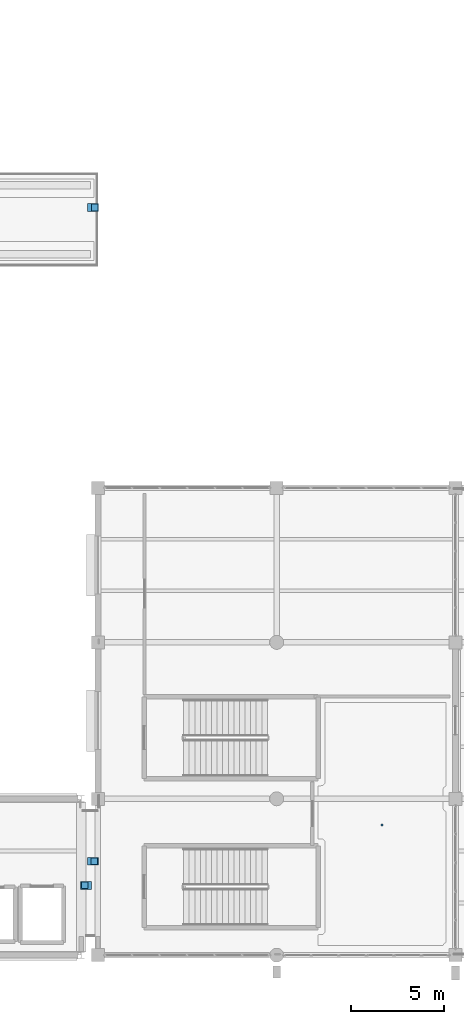
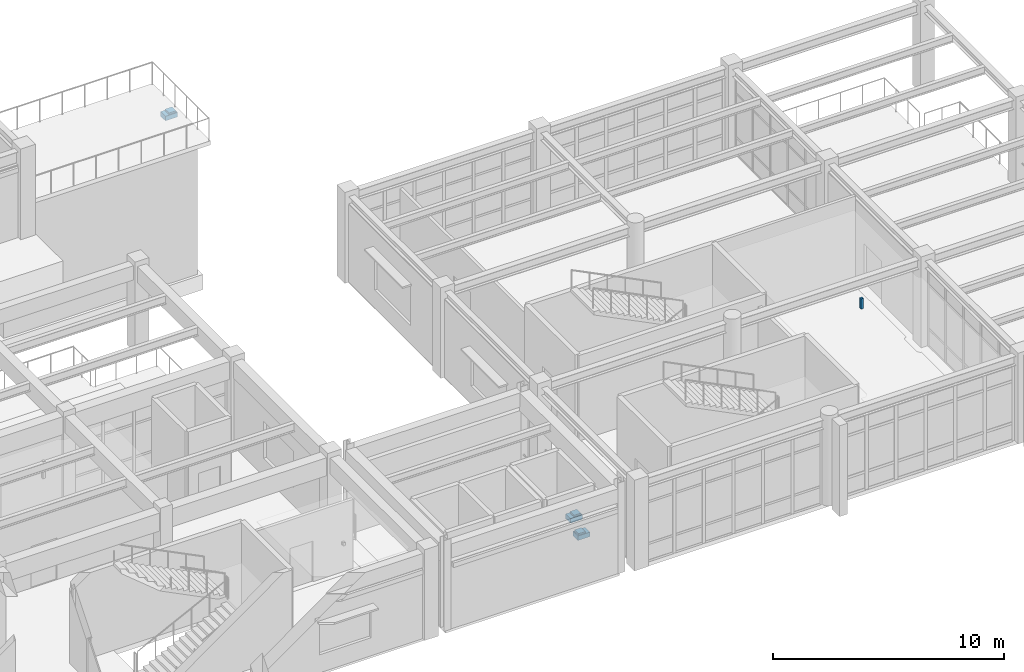
# One storey, part 84 of 98: 7 discrete accessories.
"""IFC4 building model written with IfcOpenShell, lengths in metres."""

from ifc_helpers import new_model, si_unit, direction, frame, origin, origin_2d, place, context, subcontext, project, spatial, rectangle, extrude, material, layer, layer_set, type_object, element, save


model = new_model("IFC4")

# Units and contexts
model_context = context("Model", 3, precision=1e-05, world=origin(), true_north=direction((0.0, 1.0)))
body_context = subcontext(model_context, "Body", "Model", "MODEL_VIEW")
ifc_project = project(units=[si_unit("LENGTHUNIT", "METRE"), si_unit("AREAUNIT", "SQUARE_METRE"), si_unit("VOLUMEUNIT", "CUBIC_METRE"), si_unit("PLANEANGLEUNIT", "RADIAN"), si_unit("MASSUNIT", "GRAM", prefix="KILO")], contexts=[model_context])

# Site, building, storey
site_placement = place(None, origin())
site = spatial("IfcSite", under=ifc_project, at=site_placement, CompositionType="ELEMENT")
building_placement = place(site_placement, origin())
building = spatial("IfcBuilding", under=site, at=building_placement, Name="Canglan Escarpment Cableway Terminal", CompositionType="ELEMENT")
storey_placement = place(building_placement, frame((0.0, 0.0, 9.60009765625)))
storey = spatial("IfcBuildingStorey", under=building, at=storey_placement, Name="L02", CompositionType="ELEMENT", Elevation=9.60009765625)

# Discrete accessories
ifc_material_1 = material(Name="Steel Q355B", Category="steel")
ifc_layer_1 = layer(ifc_material_1, 0.159912109375, Name="Steel Q355B")
ifc_layer_set_1 = layer_set([ifc_layer_1], Name="Steel Q355B")
discrete_accessory_type_1 = type_object("IfcDiscreteAccessoryType", Name="ACC-BRACKET-01", PredefinedType="BRACKET", material=ifc_layer_set_1)
discrete_accessory_placement = place(storey_placement, frame((162.449951171875, 14.9892578125, 3.99169921875), z_axis=(0.0, 0.0, 1.0), x_axis=(1.0, 0.0, 0.0)))
element("IfcDiscreteAccessory", 1, at=discrete_accessory_placement, inside=storey, type_object=discrete_accessory_type_1, Name="Suspended ceiling hanger bracket BK-01", PredefinedType="BRACKET", context=body_context, shape_type="SweptSolid", body=[
    extrude(rectangle(XDim=0.1201171875, YDim=0.1201171875, at=origin_2d()), origin(), (0.0, 0.0, 1.0), 0.548095703125),
])
ifc_material_2 = material(Name="Concrete C40", Category="concrete")
ifc_layer_2 = layer(ifc_material_2, 0.239990234375, Name="Concrete C40")
ifc_layer_set_2 = layer_set([ifc_layer_2], Name="Concrete C40")
discrete_accessory_type_2 = type_object("IfcDiscreteAccessoryType", Name="ACC-CORBEL-CB01", PredefinedType="BRACKET", material=ifc_layer_set_2)
for number, where, z_axis, x_axis, name in (
    (2, (146.56494140625, 11.75, -0.5400390625), (0.0, 0.0, 1.0), (1.0, 0.0, 0.0), "Concrete C40 movement-joint corbel bearing ledge CB-01"),
    (3, (146.93505859375, 13.050048828125, -0.5400390625), (0.0, 0.0, 1.0), (1.0, 0.0, 0.0), "Concrete C40 movement-joint corbel bearing ledge CB-01"),
    (4, (146.93994140625, 48.14990234375, -0.5400390625), (0.0, 0.0, 1.0), (1.0, 0.0, 0.0), "Concrete C40 movement-joint corbel bearing ledge CB-01"),
):
    element("IfcDiscreteAccessory", number, at=place(storey_placement, frame(where, z_axis=z_axis, x_axis=x_axis)), inside=storey, type_object=discrete_accessory_type_2, Name=name, PredefinedType="BRACKET", context=body_context, shape_type="SweptSolid", body=[
        extrude(rectangle(XDim=0.60009765625, YDim=0.419921875, at=origin_2d()), origin(), (0.0, 0.0, 1.0), 0.239990234375),
    ])
ifc_material_3 = material(Name="Stainless steel and PTFE elastomer", Category="steel")
ifc_layer_3 = layer(ifc_material_3, 0.080078125, Name="Stainless steel and PTFE elastomer")
ifc_layer_set_3 = layer_set([ifc_layer_3], Name="Stainless steel and PTFE elastomer")
discrete_accessory_type_3 = type_object("IfcDiscreteAccessoryType", Name="BRG-SLIDING-MJ01", PredefinedType="USERDEFINED", material=ifc_layer_set_3)
for number, where, z_axis, x_axis, name in (
    (5, (146.485107421875, 11.75, -0.300048828125), (0.0, 0.0, 1.0), (1.0, 0.0, 0.0), "Unguided PTFE-elastomeric sliding bearing pad MJ-01"),
    (6, (147.014892578125, 13.050048828125, -0.300048828125), (0.0, 0.0, 1.0), (1.0, 0.0, 0.0), "Unguided PTFE-elastomeric sliding bearing pad MJ-01"),
    (7, (147.02001953125, 48.14990234375, -0.300048828125), (0.0, 0.0, 1.0), (1.0, 0.0, 0.0), "Unguided PTFE-elastomeric sliding bearing pad MJ-01"),
):
    element("IfcDiscreteAccessory", number, at=place(storey_placement, frame(where, z_axis=z_axis, x_axis=x_axis)), inside=storey, type_object=discrete_accessory_type_3, Name=name, ObjectType="SLIDING BEARING", PredefinedType="USERDEFINED", context=body_context, shape_type="SweptSolid", body=[
        extrude(rectangle(XDim=0.35009765625, YDim=0.35009765625, at=origin_2d()), origin(), (0.0, 0.0, 1.0), 0.080078125),
    ])

save(model, "model.ifc")
